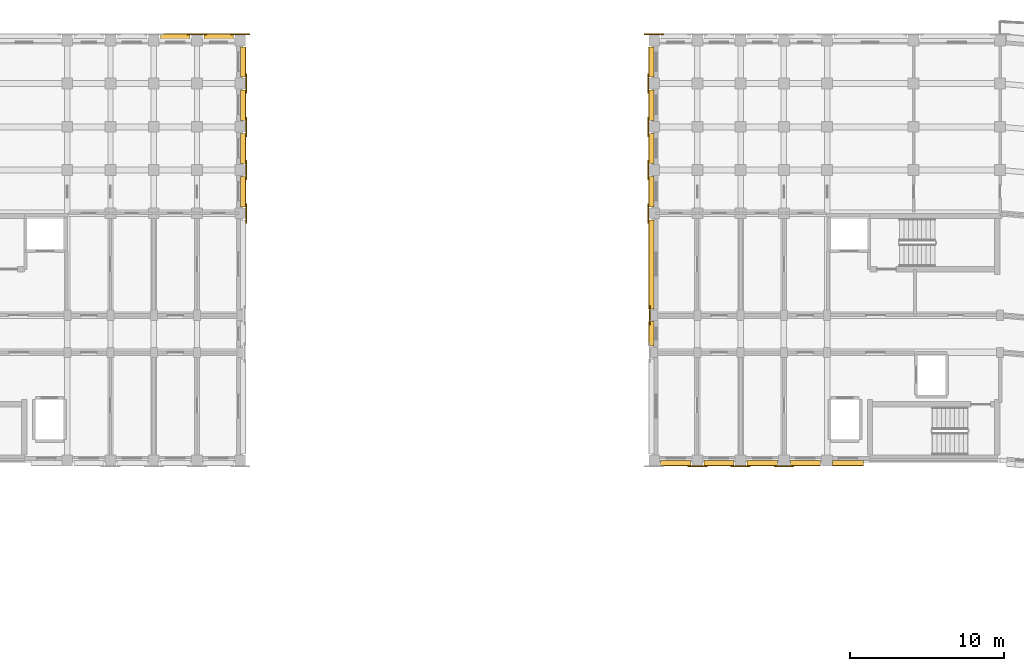
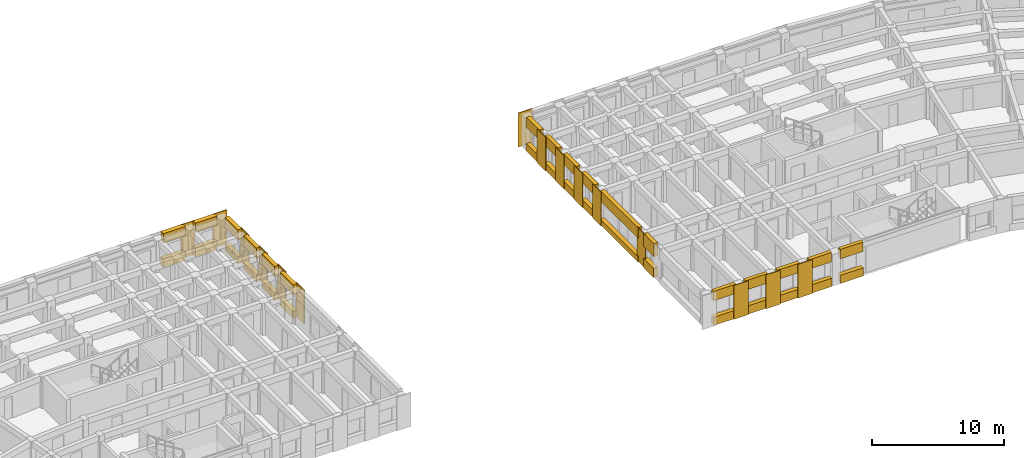
# One storey, part 49 of 54: 49 coverings.
"""IFC4 building model written with IfcOpenShell, lengths in metres."""

from ifc_helpers import new_model, si_unit, direction, frame, origin, place, context, subcontext, project, spatial, polyline, outline, extrude, material, layer, layer_set, type_object, element, save


model = new_model("IFC4")

# Units and contexts
model_context = context("Model", 3, precision=1e-05, world=origin(), true_north=direction((0.0, 1.0)))
body_context = subcontext(model_context, "Body", "Model", "MODEL_VIEW")
ifc_project = project(units=[si_unit("LENGTHUNIT", "METRE"), si_unit("AREAUNIT", "SQUARE_METRE"), si_unit("VOLUMEUNIT", "CUBIC_METRE"), si_unit("PLANEANGLEUNIT", "RADIAN"), si_unit("MASSUNIT", "GRAM", prefix="KILO")], contexts=[model_context])

# Site, building, storey
site_placement = place(None, origin())
site = spatial("IfcSite", under=ifc_project, at=site_placement, CompositionType="ELEMENT")
building_placement = place(site_placement, origin())
building = spatial("IfcBuilding", under=site, at=building_placement, Name="Kiranvali Square Residences", CompositionType="ELEMENT")
storey_placement = place(building_placement, frame((0.0, 0.0, 27.60009765625)))
storey = spatial("IfcBuildingStorey", under=building, at=storey_placement, Name="L08", CompositionType="ELEMENT", Elevation=27.60009765625)

# Coverings
ifc_material = material(Name="Honed Porbandar limestone ashlar facade cladding", Category="masonry")
ifc_layer_1 = layer(ifc_material, 0.050048828125)
ifc_layer_set_1 = layer_set([ifc_layer_1], Name="Honed Porbandar limestone ashlar facade cladding")
covering_type_1 = type_object("IfcCoveringType", Name="COV-CLAD-PIER-IN", PredefinedType="CLADDING", material=ifc_layer_set_1)
covering_1_placement = place(storey_placement, frame((0.0, 0.0, 0.0048828125)))
element("IfcCovering", 1, at=covering_1_placement, inside=storey, type_object=covering_type_1, Name="L08 Classical limestone pilaster casing CLAD-PRA1I-B-L08-U140", PredefinedType="CLADDING", context=body_context, shape_type="SweptSolid", body=[
    extrude(outline(polyline([(106.429931640625, 106.24951171875), (105.169921875, 106.24951171875), (105.169921875, 106.181884765625), (106.429931640625, 106.181884765625), (106.429931640625, 106.24951171875)])), origin(), (0.0, 0.0, 1.0), 3.14013671875),
])
covering_2_placement = place(storey_placement, frame((0.0, 0.0, 0.0048828125)))
element("IfcCovering", 2, at=covering_2_placement, inside=storey, type_object=covering_type_1, Name="L08 Classical limestone pilaster casing CLAD-PRA1I-B-L08-U167", PredefinedType="CLADDING", context=body_context, shape_type="SweptSolid", body=[
    extrude(outline(polyline([(103.6298828125, 106.24951171875), (102.3701171875, 106.24951171875), (102.3701171875, 106.181884765625), (103.6298828125, 106.181884765625), (103.6298828125, 106.24951171875)])), origin(), (0.0, 0.0, 1.0), 3.14013671875),
])
covering_3_placement = place(storey_placement, frame((0.0, 0.0, 0.0048828125)))
element("IfcCovering", 3, at=covering_3_placement, inside=storey, type_object=covering_type_1, Name="L08 Classical limestone pilaster casing CLAD-PRA1I-B-L08-U195", PredefinedType="CLADDING", context=body_context, shape_type="SweptSolid", body=[
    extrude(outline(polyline([(100.830078125, 106.24951171875), (99.570068359375, 106.24951171875), (99.570068359375, 106.181884765625), (100.830078125, 106.181884765625), (100.830078125, 106.24951171875)])), origin(), (0.0, 0.0, 1.0), 3.14013671875),
])
ifc_layer_2 = layer(ifc_material, 0.054931640625)
ifc_layer_set_2 = layer_set([ifc_layer_2], Name="Honed Porbandar limestone ashlar facade cladding")
covering_type_2 = type_object("IfcCoveringType", Name="COV-CLAD-PIER-UP", PredefinedType="CLADDING", material=ifc_layer_set_2)
covering_4_placement = place(storey_placement, frame((0.0, 0.0, 0.0048828125)))
element("IfcCovering", 4, at=covering_4_placement, inside=storey, type_object=covering_type_2, Name="L08 Classical limestone pilaster casing CLAD-PR-A-L08-U195", PredefinedType="CLADDING", context=body_context, shape_type="SweptSolid", body=[
    extrude(outline(polyline([(67.169921875, 134.150390625), (68.429931640625, 134.150390625), (68.429931640625, 134.218017578125), (67.169921875, 134.218017578125), (67.169921875, 134.150390625)])), origin(), (0.0, 0.0, 1.0), 3.14013671875),
])
covering_5_placement = place(storey_placement, frame((0.0, 0.0, 0.0048828125)))
element("IfcCovering", 5, at=covering_5_placement, inside=storey, type_object=covering_type_2, Name="L08 Classical limestone pilaster casing CLAD-PR-A-L08-U224", PredefinedType="CLADDING", context=body_context, shape_type="SweptSolid", body=[
    extrude(outline(polyline([(69.969970703125, 134.150390625), (71.22998046875, 134.150390625), (71.22998046875, 134.218017578125), (69.969970703125, 134.218017578125), (69.969970703125, 134.150390625)])), origin(), (0.0, 0.0, 1.0), 3.14013671875),
])
covering_6_placement = place(storey_placement, frame((0.0, 0.0, 0.0048828125)))
element("IfcCovering", 6, at=covering_6_placement, inside=storey, type_object=covering_type_2, Name="L08 Classical limestone pilaster casing CLAD-PRA1E-A-L08-R348", PredefinedType="CLADDING", context=body_context, shape_type="SweptSolid", body=[
    extrude(outline(polyline([(71.01806640625, 121.969970703125), (71.01806640625, 123.22998046875), (70.950439453125, 123.22998046875), (70.950439453125, 121.969970703125), (71.01806640625, 121.969970703125)])), origin(), (0.0, 0.0, 1.0), 3.14013671875),
])
covering_7_placement = place(storey_placement, frame((0.0, 0.0, 0.0048828125)))
element("IfcCovering", 7, at=covering_7_placement, inside=storey, type_object=covering_type_2, Name="L08 Classical limestone pilaster casing CLAD-PRA1E-A-L08-R376", PredefinedType="CLADDING", context=body_context, shape_type="SweptSolid", body=[
    extrude(outline(polyline([(71.01806640625, 124.77001953125), (71.01806640625, 126.030029296875), (70.950439453125, 126.030029296875), (70.950439453125, 124.77001953125), (71.01806640625, 124.77001953125)])), origin(), (0.0, 0.0, 1.0), 3.14013671875),
])
covering_8_placement = place(storey_placement, frame((0.0, 0.0, 0.0048828125)))
element("IfcCovering", 8, at=covering_8_placement, inside=storey, type_object=covering_type_2, Name="L08 Classical limestone pilaster casing CLAD-PRA1E-A-L08-R404", PredefinedType="CLADDING", context=body_context, shape_type="SweptSolid", body=[
    extrude(outline(polyline([(71.01806640625, 127.570068359375), (71.01806640625, 128.830078125), (70.950439453125, 128.830078125), (70.950439453125, 127.570068359375), (71.01806640625, 127.570068359375)])), origin(), (0.0, 0.0, 1.0), 3.14013671875),
])
covering_9_placement = place(storey_placement, frame((0.0, 0.0, 0.0048828125)))
element("IfcCovering", 9, at=covering_9_placement, inside=storey, type_object=covering_type_2, Name="L08 Classical limestone pilaster casing CLAD-PRA1E-A-L08-R432", PredefinedType="CLADDING", context=body_context, shape_type="SweptSolid", body=[
    extrude(outline(polyline([(71.01806640625, 130.3701171875), (71.01806640625, 131.6298828125), (70.950439453125, 131.6298828125), (70.950439453125, 130.3701171875), (71.01806640625, 130.3701171875)])), origin(), (0.0, 0.0, 1.0), 3.14013671875),
])
covering_10_placement = place(storey_placement, frame((0.0, 0.0, 0.0048828125)))
element("IfcCovering", 10, at=covering_10_placement, inside=storey, type_object=covering_type_2, Name="L08 Classical limestone pilaster casing CLAD-PR-B-L08-U224", PredefinedType="CLADDING", context=body_context, shape_type="SweptSolid", body=[
    extrude(outline(polyline([(98.030029296875, 134.218017578125), (96.77001953125, 134.218017578125), (96.77001953125, 134.150390625), (98.030029296875, 134.150390625), (98.030029296875, 134.218017578125)])), origin(), (0.0, 0.0, 1.0), 3.14013671875),
])
covering_11_placement = place(storey_placement, frame((0.0, 0.0, 0.0048828125)))
element("IfcCovering", 11, at=covering_11_placement, inside=storey, type_object=covering_type_2, Name="L08 Classical limestone pilaster casing CLAD-PRA1E-B-L08-R282", PredefinedType="CLADDING", context=body_context, shape_type="SweptSolid", body=[
    extrude(outline(polyline([(97.1494140625, 115.3701171875), (97.1494140625, 116.6298828125), (97.08203125, 116.6298828125), (97.08203125, 115.3701171875), (97.1494140625, 115.3701171875)])), origin(), (0.0, 0.0, 1.0), 3.14013671875),
])
covering_12_placement = place(storey_placement, frame((0.0, 0.0, 0.0048828125)))
element("IfcCovering", 12, at=covering_12_placement, inside=storey, type_object=covering_type_2, Name="L08 Classical limestone pilaster casing CLAD-PRA1E-B-L08-R348", PredefinedType="CLADDING", context=body_context, shape_type="SweptSolid", body=[
    extrude(outline(polyline([(97.049560546875, 121.969970703125), (97.049560546875, 123.22998046875), (96.98193359375, 123.22998046875), (96.98193359375, 121.969970703125), (97.049560546875, 121.969970703125)])), origin(), (0.0, 0.0, 1.0), 3.14013671875),
])
covering_13_placement = place(storey_placement, frame((0.0, 0.0, 0.0048828125)))
element("IfcCovering", 13, at=covering_13_placement, inside=storey, type_object=covering_type_2, Name="L08 Classical limestone pilaster casing CLAD-PRA1E-B-L08-R376", PredefinedType="CLADDING", context=body_context, shape_type="SweptSolid", body=[
    extrude(outline(polyline([(97.049560546875, 124.77001953125), (97.049560546875, 126.030029296875), (96.98193359375, 126.030029296875), (96.98193359375, 124.77001953125), (97.049560546875, 124.77001953125)])), origin(), (0.0, 0.0, 1.0), 3.14013671875),
])
covering_14_placement = place(storey_placement, frame((0.0, 0.0, 0.0048828125)))
element("IfcCovering", 14, at=covering_14_placement, inside=storey, type_object=covering_type_2, Name="L08 Classical limestone pilaster casing CLAD-PRA1E-B-L08-R404", PredefinedType="CLADDING", context=body_context, shape_type="SweptSolid", body=[
    extrude(outline(polyline([(97.049560546875, 127.570068359375), (97.049560546875, 128.830078125), (96.98193359375, 128.830078125), (96.98193359375, 127.570068359375), (97.049560546875, 127.570068359375)])), origin(), (0.0, 0.0, 1.0), 3.14013671875),
])
covering_15_placement = place(storey_placement, frame((0.0, 0.0, 0.0048828125)))
element("IfcCovering", 15, at=covering_15_placement, inside=storey, type_object=covering_type_2, Name="L08 Classical limestone pilaster casing CLAD-PRA1E-B-L08-R432", PredefinedType="CLADDING", context=body_context, shape_type="SweptSolid", body=[
    extrude(outline(polyline([(97.049560546875, 130.3701171875), (97.049560546875, 131.6298828125), (96.98193359375, 131.6298828125), (96.98193359375, 130.3701171875), (97.049560546875, 130.3701171875)])), origin(), (0.0, 0.0, 1.0), 3.14013671875),
])
ifc_layer_3 = layer(ifc_material, 0.360107421875)
ifc_layer_set_3 = layer_set([ifc_layer_3], Name="Honed Porbandar limestone ashlar facade cladding")
covering_type_3 = type_object("IfcCoveringType", Name="COV-CLAD-WALL", PredefinedType="CLADDING", material=ifc_layer_set_3)
covering_16_placement = place(storey_placement, frame((0.0, 0.0, 2.27197265625)))
element("IfcCovering", 16, at=covering_16_placement, inside=storey, type_object=covering_type_3, Name="L08 light limestone spandrel lintel A-L08-A1O-4", PredefinedType="CLADDING", context=body_context, shape_type="SweptSolid", body=[
    extrude(outline(polyline([(65.43994140625, 133.800537109375), (67.360107421875, 133.800537109375), (67.360107421875, 134.199951171875), (65.43994140625, 134.199951171875), (65.43994140625, 133.800537109375)])), origin(), (0.0, 0.0, 1.0), 0.873046875),
])
covering_17_placement = place(storey_placement, frame((0.0, 0.0, 0.0048828125)))
element("IfcCovering", 17, at=covering_17_placement, inside=storey, type_object=covering_type_3, Name="L08 limestone window sill apron A-L08-A1O-4", PredefinedType="CLADDING", context=body_context, shape_type="SweptSolid", body=[
    extrude(outline(polyline([(65.43994140625, 133.800537109375), (67.360107421875, 133.800537109375), (67.360107421875, 134.22998046875), (65.43994140625, 134.22998046875), (65.43994140625, 133.800537109375)])), origin(), (0.0, 0.0, 1.0), 0.76708984375),
])
covering_18_placement = place(storey_placement, frame((0.0, 0.0, 2.27197265625)))
element("IfcCovering", 18, at=covering_18_placement, inside=storey, type_object=covering_type_3, Name="L08 light limestone spandrel lintel A-L08-A1O-5", PredefinedType="CLADDING", context=body_context, shape_type="SweptSolid", body=[
    extrude(outline(polyline([(68.239990234375, 133.800537109375), (70.159912109375, 133.800537109375), (70.159912109375, 134.199951171875), (68.239990234375, 134.199951171875), (68.239990234375, 133.800537109375)])), origin(), (0.0, 0.0, 1.0), 0.873046875),
])
covering_19_placement = place(storey_placement, frame((0.0, 0.0, 0.0048828125)))
element("IfcCovering", 19, at=covering_19_placement, inside=storey, type_object=covering_type_3, Name="L08 limestone window sill apron A-L08-A1O-5", PredefinedType="CLADDING", context=body_context, shape_type="SweptSolid", body=[
    extrude(outline(polyline([(68.239990234375, 133.800537109375), (70.159912109375, 133.800537109375), (70.159912109375, 134.22998046875), (68.239990234375, 134.22998046875), (68.239990234375, 133.800537109375)])), origin(), (0.0, 0.0, 1.0), 0.817138671875),
])
covering_20_placement = place(storey_placement, frame((0.0, 0.0, 2.171875)))
element("IfcCovering", 20, at=covering_20_placement, inside=storey, type_object=covering_type_3, Name="L08 light limestone spandrel lintel A-L08-A1END-3", PredefinedType="CLADDING", context=body_context, shape_type="SweptSolid", body=[
    extrude(outline(polyline([(70.93994140625, 123.02001953125), (70.93994140625, 124.97998046875), (70.6005859375, 124.97998046875), (70.6005859375, 123.02001953125), (70.93994140625, 123.02001953125)])), origin(), (0.0, 0.0, 1.0), 0.97314453125),
])
covering_21_placement = place(storey_placement, frame((0.0, 0.0, 0.0048828125)))
element("IfcCovering", 21, at=covering_21_placement, inside=storey, type_object=covering_type_3, Name="L08 limestone window sill apron A-L08-A1END-3", PredefinedType="CLADDING", context=body_context, shape_type="SweptSolid", body=[
    extrude(outline(polyline([(70.969970703125, 123.02001953125), (70.969970703125, 124.97998046875), (70.6005859375, 124.97998046875), (70.6005859375, 123.02001953125), (70.969970703125, 123.02001953125)])), origin(), (0.0, 0.0, 1.0), 0.6669921875),
])
covering_22_placement = place(storey_placement, frame((0.0, 0.0, 2.171875)))
element("IfcCovering", 22, at=covering_22_placement, inside=storey, type_object=covering_type_3, Name="L08 light limestone spandrel lintel A-L08-A1END-4", PredefinedType="CLADDING", context=body_context, shape_type="SweptSolid", body=[
    extrude(outline(polyline([(70.93994140625, 125.820068359375), (70.93994140625, 127.780029296875), (70.6005859375, 127.780029296875), (70.6005859375, 125.820068359375), (70.93994140625, 125.820068359375)])), origin(), (0.0, 0.0, 1.0), 0.97314453125),
])
covering_23_placement = place(storey_placement, frame((0.0, 0.0, 0.0048828125)))
element("IfcCovering", 23, at=covering_23_placement, inside=storey, type_object=covering_type_3, Name="L08 limestone window sill apron A-L08-A1END-4", PredefinedType="CLADDING", context=body_context, shape_type="SweptSolid", body=[
    extrude(outline(polyline([(70.969970703125, 125.820068359375), (70.969970703125, 127.780029296875), (70.6005859375, 127.780029296875), (70.6005859375, 125.820068359375), (70.969970703125, 125.820068359375)])), origin(), (0.0, 0.0, 1.0), 0.6669921875),
])
covering_24_placement = place(storey_placement, frame((0.0, 0.0, 2.171875)))
element("IfcCovering", 24, at=covering_24_placement, inside=storey, type_object=covering_type_3, Name="L08 light limestone spandrel lintel A-L08-A1END-5", PredefinedType="CLADDING", context=body_context, shape_type="SweptSolid", body=[
    extrude(outline(polyline([(70.93994140625, 128.6201171875), (70.93994140625, 130.580078125), (70.6005859375, 130.580078125), (70.6005859375, 128.6201171875), (70.93994140625, 128.6201171875)])), origin(), (0.0, 0.0, 1.0), 0.97314453125),
])
covering_25_placement = place(storey_placement, frame((0.0, 0.0, 0.0048828125)))
element("IfcCovering", 25, at=covering_25_placement, inside=storey, type_object=covering_type_3, Name="L08 limestone window sill apron A-L08-A1END-5", PredefinedType="CLADDING", context=body_context, shape_type="SweptSolid", body=[
    extrude(outline(polyline([(70.969970703125, 128.6201171875), (70.969970703125, 130.580078125), (70.6005859375, 130.580078125), (70.6005859375, 128.6201171875), (70.969970703125, 128.6201171875)])), origin(), (0.0, 0.0, 1.0), 0.6669921875),
])
covering_26_placement = place(storey_placement, frame((0.0, 0.0, 2.171875)))
element("IfcCovering", 26, at=covering_26_placement, inside=storey, type_object=covering_type_3, Name="L08 light limestone spandrel lintel A-L08-A1END-6", PredefinedType="CLADDING", context=body_context, shape_type="SweptSolid", body=[
    extrude(outline(polyline([(70.93994140625, 131.419921875), (70.93994140625, 133.3798828125), (70.6005859375, 133.3798828125), (70.6005859375, 131.419921875), (70.93994140625, 131.419921875)])), origin(), (0.0, 0.0, 1.0), 0.97314453125),
])
covering_27_placement = place(storey_placement, frame((0.0, 0.0, 0.0048828125)))
element("IfcCovering", 27, at=covering_27_placement, inside=storey, type_object=covering_type_3, Name="L08 limestone window sill apron A-L08-A1END-6", PredefinedType="CLADDING", context=body_context, shape_type="SweptSolid", body=[
    extrude(outline(polyline([(70.969970703125, 131.419921875), (70.969970703125, 133.3798828125), (70.6005859375, 133.3798828125), (70.6005859375, 131.419921875), (70.969970703125, 131.419921875)])), origin(), (0.0, 0.0, 1.0), 0.6669921875),
])
covering_28_placement = place(storey_placement, frame((0.0, 0.0, 2.27197265625)))
element("IfcCovering", 28, at=covering_28_placement, inside=storey, type_object=covering_type_3, Name="L08 light limestone spandrel lintel B-L08-A1IN-0", PredefinedType="CLADDING", context=body_context, shape_type="SweptSolid", body=[
    extrude(outline(polyline([(110.949951171875, 106.599609375), (108.949951171875, 106.599609375), (108.949951171875, 106.280029296875), (110.949951171875, 106.280029296875), (110.949951171875, 106.599609375)])), origin(), (0.0, 0.0, 1.0), 0.873046875),
])
covering_29_placement = place(storey_placement, frame((0.0, 0.0, 0.0048828125)))
element("IfcCovering", 29, at=covering_29_placement, inside=storey, type_object=covering_type_3, Name="L08 limestone window sill apron B-L08-A1IN-0", PredefinedType="CLADDING", context=body_context, shape_type="SweptSolid", body=[
    extrude(outline(polyline([(110.949951171875, 106.599609375), (108.949951171875, 106.599609375), (108.949951171875, 106.25), (110.949951171875, 106.25), (110.949951171875, 106.599609375)])), origin(), (0.0, 0.0, 1.0), 0.76708984375),
])
covering_30_placement = place(storey_placement, frame((0.0, 0.0, 2.27197265625)))
element("IfcCovering", 30, at=covering_30_placement, inside=storey, type_object=covering_type_3, Name="L08 light limestone spandrel lintel B-L08-A1I-0", PredefinedType="CLADDING", context=body_context, shape_type="SweptSolid", body=[
    extrude(outline(polyline([(108.179931640625, 106.599609375), (106.219970703125, 106.599609375), (106.219970703125, 106.280029296875), (108.179931640625, 106.280029296875), (108.179931640625, 106.599609375)])), origin(), (0.0, 0.0, 1.0), 0.873046875),
])
covering_31_placement = place(storey_placement, frame((0.0, 0.0, 0.0048828125)))
element("IfcCovering", 31, at=covering_31_placement, inside=storey, type_object=covering_type_3, Name="L08 limestone window sill apron B-L08-A1I-0", PredefinedType="CLADDING", context=body_context, shape_type="SweptSolid", body=[
    extrude(outline(polyline([(108.179931640625, 106.599609375), (106.219970703125, 106.599609375), (106.219970703125, 106.25), (108.179931640625, 106.25), (108.179931640625, 106.599609375)])), origin(), (0.0, 0.0, 1.0), 0.76708984375),
])
covering_32_placement = place(storey_placement, frame((0.0, 0.0, 2.27197265625)))
element("IfcCovering", 32, at=covering_32_placement, inside=storey, type_object=covering_type_3, Name="L08 light limestone spandrel lintel B-L08-A1I-1", PredefinedType="CLADDING", context=body_context, shape_type="SweptSolid", body=[
    extrude(outline(polyline([(105.3798828125, 106.599609375), (103.419921875, 106.599609375), (103.419921875, 106.280029296875), (105.3798828125, 106.280029296875), (105.3798828125, 106.599609375)])), origin(), (0.0, 0.0, 1.0), 0.873046875),
])
covering_33_placement = place(storey_placement, frame((0.0, 0.0, 0.0048828125)))
element("IfcCovering", 33, at=covering_33_placement, inside=storey, type_object=covering_type_3, Name="L08 limestone window sill apron B-L08-A1I-1", PredefinedType="CLADDING", context=body_context, shape_type="SweptSolid", body=[
    extrude(outline(polyline([(105.3798828125, 106.599609375), (103.419921875, 106.599609375), (103.419921875, 106.25), (105.3798828125, 106.25), (105.3798828125, 106.599609375)])), origin(), (0.0, 0.0, 1.0), 0.76708984375),
])
covering_34_placement = place(storey_placement, frame((0.0, 0.0, 2.27197265625)))
element("IfcCovering", 34, at=covering_34_placement, inside=storey, type_object=covering_type_3, Name="L08 light limestone spandrel lintel B-L08-A1I-2", PredefinedType="CLADDING", context=body_context, shape_type="SweptSolid", body=[
    extrude(outline(polyline([(102.580078125, 106.599609375), (100.6201171875, 106.599609375), (100.6201171875, 106.280029296875), (102.580078125, 106.280029296875), (102.580078125, 106.599609375)])), origin(), (0.0, 0.0, 1.0), 0.873046875),
])
covering_35_placement = place(storey_placement, frame((0.0, 0.0, 0.0048828125)))
element("IfcCovering", 35, at=covering_35_placement, inside=storey, type_object=covering_type_3, Name="L08 limestone window sill apron B-L08-A1I-2", PredefinedType="CLADDING", context=body_context, shape_type="SweptSolid", body=[
    extrude(outline(polyline([(102.580078125, 106.599609375), (100.6201171875, 106.599609375), (100.6201171875, 106.25), (102.580078125, 106.25), (102.580078125, 106.599609375)])), origin(), (0.0, 0.0, 1.0), 0.76708984375),
])
covering_36_placement = place(storey_placement, frame((0.0, 0.0, 2.27197265625)))
element("IfcCovering", 36, at=covering_36_placement, inside=storey, type_object=covering_type_3, Name="L08 light limestone spandrel lintel B-L08-A1I-3", PredefinedType="CLADDING", context=body_context, shape_type="SweptSolid", body=[
    extrude(outline(polyline([(99.780029296875, 106.599609375), (97.820068359375, 106.599609375), (97.820068359375, 106.280029296875), (99.780029296875, 106.280029296875), (99.780029296875, 106.599609375)])), origin(), (0.0, 0.0, 1.0), 0.873046875),
])
covering_37_placement = place(storey_placement, frame((0.0, 0.0, 0.0048828125)))
element("IfcCovering", 37, at=covering_37_placement, inside=storey, type_object=covering_type_3, Name="L08 limestone window sill apron B-L08-A1I-3", PredefinedType="CLADDING", context=body_context, shape_type="SweptSolid", body=[
    extrude(outline(polyline([(99.780029296875, 106.599609375), (97.820068359375, 106.599609375), (97.820068359375, 106.25), (99.780029296875, 106.25), (99.780029296875, 106.599609375)])), origin(), (0.0, 0.0, 1.0), 0.76708984375),
])
covering_38_placement = place(storey_placement, frame((0.0, 0.0, 1.929931640625)))
element("IfcCovering", 38, at=covering_38_placement, inside=storey, type_object=covering_type_3, Name="L08 light limestone spandrel lintel B-L08-A1END-1", PredefinedType="CLADDING", context=body_context, shape_type="SweptSolid", body=[
    extrude(outline(polyline([(97.3994140625, 114.02001953125), (97.3994140625, 115.580078125), (97.06005859375, 115.580078125), (97.06005859375, 114.02001953125), (97.3994140625, 114.02001953125)])), origin(), (0.0, 0.0, 1.0), 1.215087890625),
])
covering_39_placement = place(storey_placement, frame((0.0, 0.0, 0.0048828125)))
element("IfcCovering", 39, at=covering_39_placement, inside=storey, type_object=covering_type_3, Name="L08 limestone window sill apron B-L08-A1END-1", PredefinedType="CLADDING", context=body_context, shape_type="SweptSolid", body=[
    extrude(outline(polyline([(97.3994140625, 114.02001953125), (97.3994140625, 115.580078125), (97.030029296875, 115.580078125), (97.030029296875, 114.02001953125), (97.3994140625, 114.02001953125)])), origin(), (0.0, 0.0, 1.0), 0.875),
])
covering_40_placement = place(storey_placement, frame((0.0, 0.0, 2.171875)))
element("IfcCovering", 40, at=covering_40_placement, inside=storey, type_object=covering_type_3, Name="L08 light limestone spandrel lintel B-L08-A1END-2", PredefinedType="CLADDING", context=body_context, shape_type="SweptSolid", body=[
    extrude(outline(polyline([(97.3994140625, 116.419921875), (97.3994140625, 122.179931640625), (97.06005859375, 122.179931640625), (97.06005859375, 116.419921875), (97.3994140625, 116.419921875)])), origin(), (0.0, 0.0, 1.0), 0.97314453125),
])
covering_41_placement = place(storey_placement, frame((0.0, 0.0, 0.0048828125)))
element("IfcCovering", 41, at=covering_41_placement, inside=storey, type_object=covering_type_3, Name="L08 limestone window sill apron B-L08-A1END-2", PredefinedType="CLADDING", context=body_context, shape_type="SweptSolid", body=[
    extrude(outline(polyline([(97.3994140625, 116.419921875), (97.3994140625, 122.179931640625), (97.030029296875, 122.179931640625), (97.030029296875, 116.419921875), (97.3994140625, 116.419921875)])), origin(), (0.0, 0.0, 1.0), 0.51708984375),
])
covering_42_placement = place(storey_placement, frame((0.0, 0.0, 2.171875)))
element("IfcCovering", 42, at=covering_42_placement, inside=storey, type_object=covering_type_3, Name="L08 light limestone spandrel lintel B-L08-A1END-3", PredefinedType="CLADDING", context=body_context, shape_type="SweptSolid", body=[
    extrude(outline(polyline([(97.3994140625, 123.02001953125), (97.3994140625, 124.97998046875), (97.06005859375, 124.97998046875), (97.06005859375, 123.02001953125), (97.3994140625, 123.02001953125)])), origin(), (0.0, 0.0, 1.0), 0.97314453125),
])
covering_43_placement = place(storey_placement, frame((0.0, 0.0, 0.0048828125)))
element("IfcCovering", 43, at=covering_43_placement, inside=storey, type_object=covering_type_3, Name="L08 limestone window sill apron B-L08-A1END-3", PredefinedType="CLADDING", context=body_context, shape_type="SweptSolid", body=[
    extrude(outline(polyline([(97.3994140625, 123.02001953125), (97.3994140625, 124.97998046875), (97.030029296875, 124.97998046875), (97.030029296875, 123.02001953125), (97.3994140625, 123.02001953125)])), origin(), (0.0, 0.0, 1.0), 0.6669921875),
])
covering_44_placement = place(storey_placement, frame((0.0, 0.0, 2.171875)))
element("IfcCovering", 44, at=covering_44_placement, inside=storey, type_object=covering_type_3, Name="L08 light limestone spandrel lintel B-L08-A1END-4", PredefinedType="CLADDING", context=body_context, shape_type="SweptSolid", body=[
    extrude(outline(polyline([(97.3994140625, 125.820068359375), (97.3994140625, 127.780029296875), (97.06005859375, 127.780029296875), (97.06005859375, 125.820068359375), (97.3994140625, 125.820068359375)])), origin(), (0.0, 0.0, 1.0), 0.97314453125),
])
covering_45_placement = place(storey_placement, frame((0.0, 0.0, 0.0048828125)))
element("IfcCovering", 45, at=covering_45_placement, inside=storey, type_object=covering_type_3, Name="L08 limestone window sill apron B-L08-A1END-4", PredefinedType="CLADDING", context=body_context, shape_type="SweptSolid", body=[
    extrude(outline(polyline([(97.3994140625, 125.820068359375), (97.3994140625, 127.780029296875), (97.030029296875, 127.780029296875), (97.030029296875, 125.820068359375), (97.3994140625, 125.820068359375)])), origin(), (0.0, 0.0, 1.0), 0.6669921875),
])
covering_46_placement = place(storey_placement, frame((0.0, 0.0, 2.171875)))
element("IfcCovering", 46, at=covering_46_placement, inside=storey, type_object=covering_type_3, Name="L08 light limestone spandrel lintel B-L08-A1END-5", PredefinedType="CLADDING", context=body_context, shape_type="SweptSolid", body=[
    extrude(outline(polyline([(97.3994140625, 128.6201171875), (97.3994140625, 130.580078125), (97.06005859375, 130.580078125), (97.06005859375, 128.6201171875), (97.3994140625, 128.6201171875)])), origin(), (0.0, 0.0, 1.0), 0.97314453125),
])
covering_47_placement = place(storey_placement, frame((0.0, 0.0, 0.0048828125)))
element("IfcCovering", 47, at=covering_47_placement, inside=storey, type_object=covering_type_3, Name="L08 limestone window sill apron B-L08-A1END-5", PredefinedType="CLADDING", context=body_context, shape_type="SweptSolid", body=[
    extrude(outline(polyline([(97.3994140625, 128.6201171875), (97.3994140625, 130.580078125), (97.030029296875, 130.580078125), (97.030029296875, 128.6201171875), (97.3994140625, 128.6201171875)])), origin(), (0.0, 0.0, 1.0), 0.6669921875),
])
covering_48_placement = place(storey_placement, frame((0.0, 0.0, 2.2119140625)))
element("IfcCovering", 48, at=covering_48_placement, inside=storey, type_object=covering_type_3, Name="L08 light limestone spandrel lintel B-L08-A1END-6", PredefinedType="CLADDING", context=body_context, shape_type="SweptSolid", body=[
    extrude(outline(polyline([(97.3994140625, 131.419921875), (97.3994140625, 133.3798828125), (97.06005859375, 133.3798828125), (97.06005859375, 131.419921875), (97.3994140625, 131.419921875)])), origin(), (0.0, 0.0, 1.0), 0.93310546875),
])
covering_49_placement = place(storey_placement, frame((0.0, 0.0, 0.0048828125)))
element("IfcCovering", 49, at=covering_49_placement, inside=storey, type_object=covering_type_3, Name="L08 limestone window sill apron B-L08-A1END-6", PredefinedType="CLADDING", context=body_context, shape_type="SweptSolid", body=[
    extrude(outline(polyline([(97.3994140625, 131.419921875), (97.3994140625, 133.3798828125), (97.030029296875, 133.3798828125), (97.030029296875, 131.419921875), (97.3994140625, 131.419921875)])), origin(), (0.0, 0.0, 1.0), 0.70703125),
])

save(model, "model.ifc")
